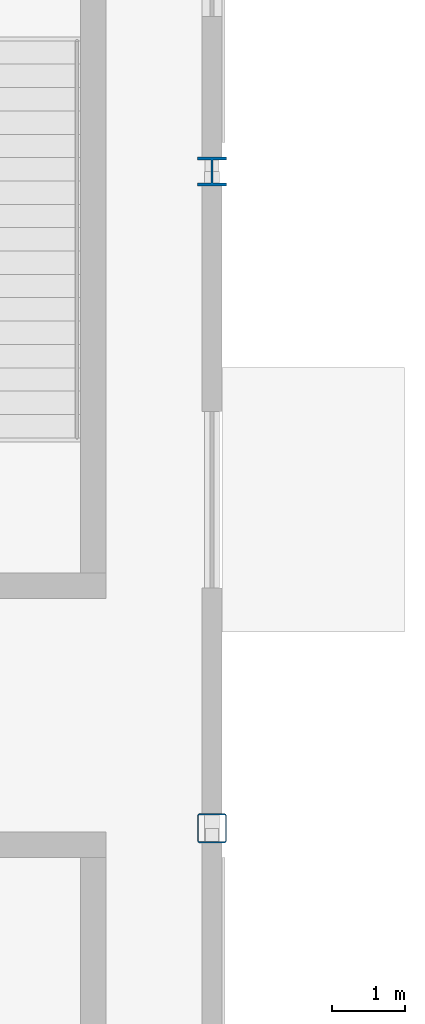
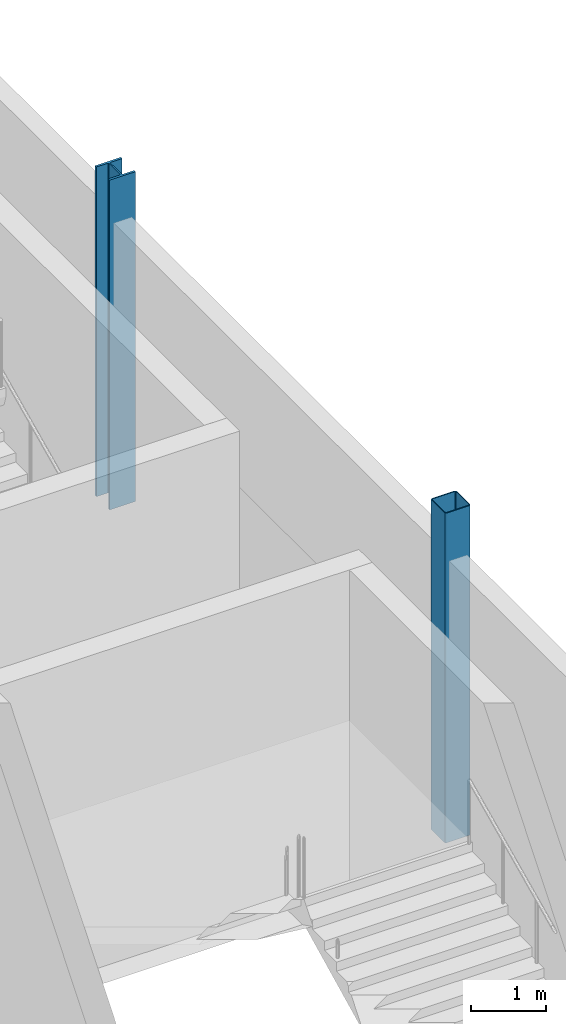
# One storey, part 23 of 94: 2 columns.
"""IFC4 building model written with IfcOpenShell, lengths in metres."""

from ifc_helpers import new_model, si_unit, direction, frame, origin, origin_2d, place, context, subcontext, project, spatial, hollow_rectangle, i_section, extrude, material, material_profile, profile_set, type_object, element, save


model = new_model("IFC4")

# Units and contexts
model_context = context("Model", 3, precision=1e-05, world=origin(), true_north=direction((0.0, 1.0)))
body_context = subcontext(model_context, "Body", "Model", "MODEL_VIEW")
ifc_project = project(units=[si_unit("LENGTHUNIT", "METRE"), si_unit("AREAUNIT", "SQUARE_METRE"), si_unit("VOLUMEUNIT", "CUBIC_METRE"), si_unit("PLANEANGLEUNIT", "RADIAN"), si_unit("MASSUNIT", "GRAM", prefix="KILO")], contexts=[model_context])

# Site, building, storey
site_placement = place(None, origin())
site = spatial("IfcSite", under=ifc_project, at=site_placement, CompositionType="ELEMENT")
building_placement = place(site_placement, origin())
building = spatial("IfcBuilding", under=site, at=building_placement, Name="Qamarlyn Nura Convention Centre", CompositionType="ELEMENT")
storey_placement = place(building_placement, origin())
storey = spatial("IfcBuildingStorey", under=building, at=storey_placement, Name="L00", CompositionType="ELEMENT", Elevation=0.0)

# Columns
ifc_material_1 = material(Name="Steel ASTM A500 Grade C", Category="steel")
ifc_material_profile_1 = material_profile(ifc_material_1, hollow_rectangle(XDim=0.39990234375, YDim=0.39990234375, WallThickness=0.01611328125, InnerFilletRadius=0.01611328125, OuterFilletRadius=0.031982421875, at=origin_2d()), Name="HSS400X400X16")
ifc_profile_set_1 = profile_set([ifc_material_profile_1], Name="Steel ASTM A500 Grade C")
column_type_1 = type_object("IfcColumnType", Name="COL-HSS-1", PredefinedType="COLUMN", material=ifc_profile_set_1)
column_1_placement = place(storey_placement, frame((192.0, 108.0, 0.0), z_axis=(0.0, 0.0, 1.0), x_axis=(1.0, 0.0, 0.0)))
element("IfcColumn", 1, at=column_1_placement, inside=storey, type_object=column_type_1, Name="L00 column 18/N", PredefinedType="COLUMN", context=body_context, shape_type="SweptSolid", body=[
    extrude(hollow_rectangle(XDim=0.39990234375, YDim=0.39990234375, WallThickness=0.01611328125, InnerFilletRadius=0.01611328125, OuterFilletRadius=0.031982421875, at=origin_2d()), origin(), (0.0, 0.0, 1.0), 5.39990234375),
])
ifc_material_2 = material(Name="Steel ASTM A992", Category="steel")
ifc_material_profile_2 = material_profile(ifc_material_2, i_section(OverallWidth=0.39892578125, OverallDepth=0.39306640625, WebThickness=0.022705078125, FlangeThickness=0.03662109375, FilletRadius=0.01806640625, at=origin_2d()), Name="W360X287")
ifc_profile_set_2 = profile_set([ifc_material_profile_2], Name="Steel ASTM A992")
column_type_2 = type_object("IfcColumnType", Name="COL-WING-1", PredefinedType="COLUMN", material=ifc_profile_set_2)
column_2_placement = place(storey_placement, frame((192.0, 117.0, 0.0), z_axis=(0.0, 0.0, 1.0), x_axis=(1.0, 0.0, 0.0)))
element("IfcColumn", 2, at=column_2_placement, inside=storey, type_object=column_type_2, Name="L00 column 18/P", PredefinedType="COLUMN", context=body_context, shape_type="SweptSolid", body=[
    extrude(i_section(OverallWidth=0.39892578125, OverallDepth=0.39306640625, WebThickness=0.022705078125, FlangeThickness=0.03662109375, FilletRadius=0.01806640625, at=origin_2d()), origin(), (0.0, 0.0, 1.0), 5.39990234375),
])

save(model, "model.ifc")
